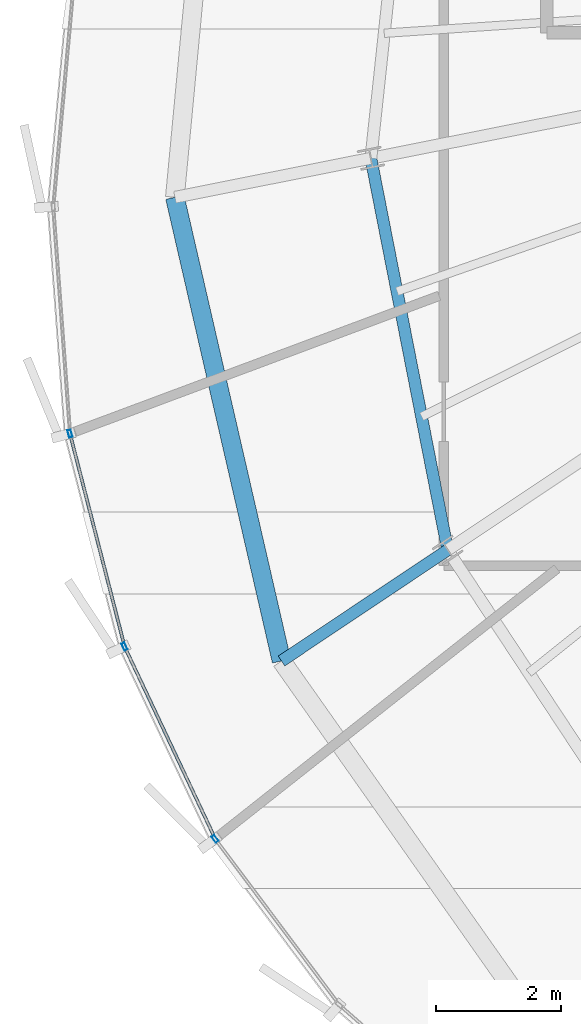
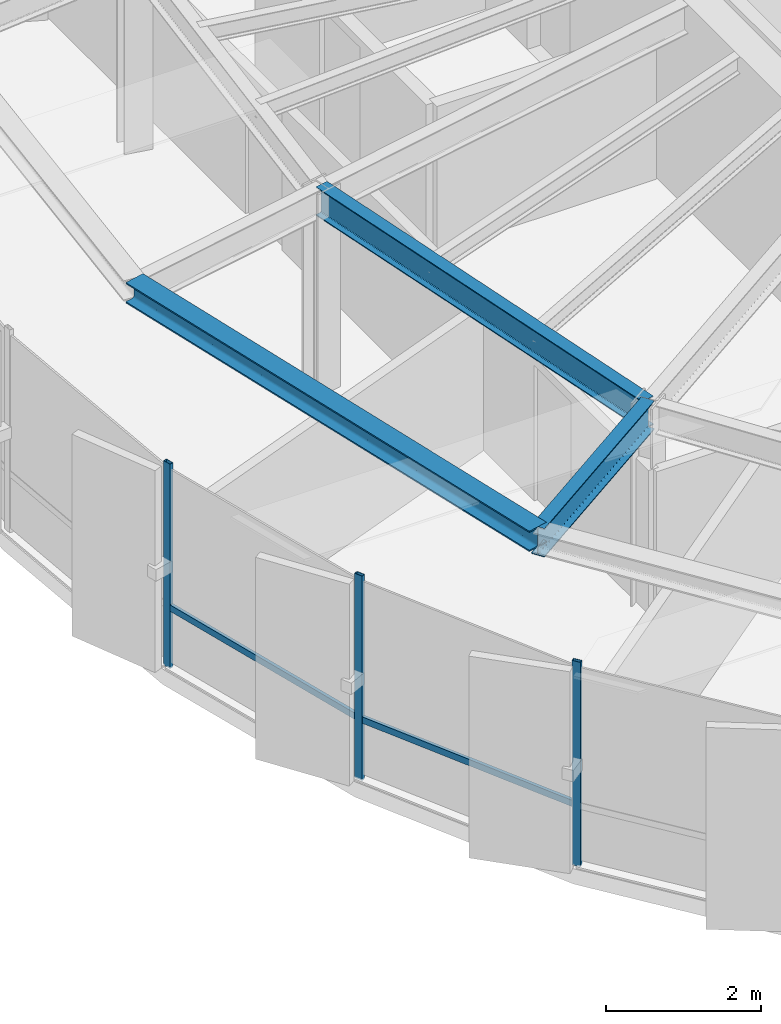
# One storey, part 4 of 33: 5 members, 3 beams, 1 element without a shape of its own.
"""IFC4 building model written with IfcOpenShell, lengths in metres."""

from ifc_helpers import new_model, si_unit, direction, frame, origin, origin_2d, place, context, subcontext, project, spatial, hollow_rectangle, i_section, extrude, source, transform, mapped, material, layer, layer_set, material_profile, profile_set, type_object, element, aggregate, save


model = new_model("IFC4")

# Units and contexts
model_context = context("Model", 3, precision=1e-05, world=origin(), true_north=direction((0.0, 1.0)))
body_context = subcontext(model_context, "Body", "Model", "MODEL_VIEW")
ifc_project = project(units=[si_unit("LENGTHUNIT", "METRE"), si_unit("AREAUNIT", "SQUARE_METRE"), si_unit("VOLUMEUNIT", "CUBIC_METRE"), si_unit("PLANEANGLEUNIT", "RADIAN"), si_unit("MASSUNIT", "GRAM", prefix="KILO"), si_unit("THERMODYNAMICTEMPERATUREUNIT", "KELVIN")], contexts=[model_context])

# Site, building, storey
site_placement = place(None, origin())
site = spatial("IfcSite", under=ifc_project, at=site_placement, CompositionType="ELEMENT")
building_placement = place(site_placement, origin())
building = spatial("IfcBuilding", under=site, at=building_placement, Name="Kethvar Cultural Tower", CompositionType="ELEMENT")
storey_placement = place(building_placement, frame((0.0, 0.0, 256.0)))
storey = spatial("IfcBuildingStorey", under=building, at=storey_placement, Name="L67", CompositionType="ELEMENT", Elevation=256.0)

# Beams
ifc_material_1 = material(Name="Steel S355J2", Category="steel")
ifc_material_profile_1 = material_profile(ifc_material_1, i_section(OverallWidth=0.18994140625, OverallDepth=0.449951171875, WebThickness=0.009521484375, FlangeThickness=0.0146484375, FilletRadius=0.02099609375, at=origin_2d()), Name="Steel S355J2 — IPE450")
ifc_profile_set_1 = profile_set([ifc_material_profile_1], Name="Steel S355J2 — IPE450")
beam_type_1 = type_object("IfcBeamType", Name="BM-IPE450", PredefinedType="BEAM", material=ifc_profile_set_1)
shared_shape_1 = source(origin(), body_context, "Body", "SweptSolid", [
    extrude(i_section(OverallWidth=0.18994140625, OverallDepth=0.449951171875, WebThickness=0.009521484375, FlangeThickness=0.0146484375, FilletRadius=0.02099609375, at=origin_2d()), origin(), (0.0, 0.0, 1.0), 3.199951171875),
])
beam_1_placement = place(storey_placement, frame((32.912841796875, 18.52099609375, 2.98291015625), z_axis=(-0.831462943996, -0.555580212716, 0.0), x_axis=(0.555580212716, -0.831462943996, 0.0)))
element("IfcBeam", 1, at=beam_1_placement, inside=storey, type_object=beam_type_1, Name="L67 Perimeter Cantilever Beam RC-10", PredefinedType="BEAM", context=body_context, shape_type="MappedRepresentation", body=[
    mapped(shared_shape_1, transform((0.0, 0.0, 0.0), scale=1.0)),
])
shared_shape_2 = source(origin(), body_context, "Body", "SweptSolid", [
    extrude(i_section(OverallWidth=0.18994140625, OverallDepth=0.449951171875, WebThickness=0.009521484375, FlangeThickness=0.0146484375, FilletRadius=0.02099609375, at=origin_2d()), origin(), (0.0, 0.0, 1.0), 6.391357421875),
])
beam_2_placement = place(storey_placement, frame((31.68310546875, 24.79296875, 2.98291015625), z_axis=(0.192405084368, -0.981315588131, 0.0), x_axis=(0.981315588131, 0.192405084368, 0.0)))
element("IfcBeam", 2, at=beam_2_placement, inside=storey, type_object=beam_type_1, Name="L67 Column Ring Tie Beam CR-09", PredefinedType="BEAM", context=body_context, shape_type="MappedRepresentation", body=[
    mapped(shared_shape_2, transform((0.0, 0.0, 0.0), scale=1.0)),
])
ifc_material_profile_2 = material_profile(ifc_material_1, i_section(OverallWidth=0.300048828125, OverallDepth=0.320068359375, WebThickness=0.011474609375, FlangeThickness=0.0205078125, FilletRadius=0.027099609375, at=origin_2d()), Name="Steel S355J2 — HEB320")
ifc_profile_set_2 = profile_set([ifc_material_profile_2], Name="Steel S355J2 — HEB320")
beam_type_2 = type_object("IfcBeamType", Name="BM-SP320", PredefinedType="SPANDREL", material=ifc_profile_set_2)
shared_shape_3 = source(origin(), body_context, "Body", "SweptSolid", [
    extrude(i_section(OverallWidth=0.300048828125, OverallDepth=0.320068359375, WebThickness=0.011474609375, FlangeThickness=0.0205078125, FilletRadius=0.027099609375, at=origin_2d()), origin(), (0.0, 0.0, 1.0), 7.619384765625),
])
beam_3_placement = place(storey_placement, frame((28.54443359375, 24.168701171875, 3.048095703125), z_axis=(0.224133998424, -0.974558336248, 0.0), x_axis=(0.974558336248, 0.224133998424, 0.0)))
element("IfcBeam", 3, at=beam_3_placement, inside=storey, type_object=beam_type_2, Name="L67 Perimeter Spandrel Beam SP-09", PredefinedType="SPANDREL", context=body_context, shape_type="MappedRepresentation", body=[
    mapped(shared_shape_3, transform((0.0, 0.0, 0.0), scale=1.0)),
])

# Curtain wall, members
ifc_material_2 = material(Name="Aluminium 6063-T6", Category="aluminium")
ifc_layer = layer(ifc_material_2, 0.179931640625, Name="Aluminium 6063-T6", Category="aluminium")
ifc_layer_set = layer_set([ifc_layer], Name="Aluminium 6063-T6 (180 mm)")
curtain_wall_type = type_object("IfcCurtainWallType", Name="CW-SYS-05-Z56", PredefinedType="NOTDEFINED", material=ifc_layer_set)
curtain_wall_placement = place(storey_placement, origin())
curtain_wall = element("IfcCurtainWall", 4, at=curtain_wall_placement, inside=storey, type_object=curtain_wall_type, Name="L67 Curtain Wall Run 03", PredefinedType="NOTDEFINED")
ifc_material_profile_3 = material_profile(ifc_material_2, hollow_rectangle(XDim=0.054931640625, YDim=0.1201171875, WallThickness=0.00390625, at=origin_2d()), Name="Aluminium 6063-T6 — RHS120x55x4")
ifc_profile_set_3 = profile_set([ifc_material_profile_3], Name="Aluminium 6063-T6 — RHS120x55x4")
member_type_1 = type_object("IfcMemberType", Name="CW-SYS-05-Z56-MUL", PredefinedType="MULLION", material=ifc_profile_set_3)
shared_shape_4 = source(origin(), body_context, "Body", "SweptSolid", [
    extrude(hollow_rectangle(XDim=0.054931640625, YDim=0.1201171875, WallThickness=0.00390625, at=origin_2d()), origin(), (0.0, 0.0, 1.0), 3.2099609375),
])
member_1_placement = place(storey_placement, frame((26.86376953125, 20.3837890625, 0.0), z_axis=(0.0, 0.0, 1.0), x_axis=(0.968591841453, 0.248656077083, 0.0)))
member_1 = element("IfcMember", 5, at=member_1_placement, type_object=member_type_1, Name="CW-L67-R03 Mullion 3", PredefinedType="MULLION", context=body_context, shape_type="MappedRepresentation", body=[
    mapped(shared_shape_4, transform((0.0, 0.0, 0.0), scale=1.0)),
])
member_2_placement = place(storey_placement, frame((27.737060546875, 16.974609375, 0.0), z_axis=(0.0, 0.0, 1.0), x_axis=(0.904328540152, 0.426837078365, 0.0)))
member_2 = element("IfcMember", 6, at=member_2_placement, type_object=member_type_1, Name="CW-L67-R03 Mullion 4", PredefinedType="MULLION", context=body_context, shape_type="MappedRepresentation", body=[
    mapped(shared_shape_4, transform((0.0, 0.0, 0.0), scale=1.0)),
])
member_3_placement = place(storey_placement, frame((29.1884765625, 13.894775390625, 0.0), z_axis=(0.0, 0.0, 1.0), x_axis=(0.800741825761, 0.599009623026, 0.0)))
member_3 = element("IfcMember", 7, at=member_3_placement, type_object=member_type_1, Name="CW-L67-R03 Mullion 5", PredefinedType="MULLION", context=body_context, shape_type="MappedRepresentation", body=[
    mapped(shared_shape_4, transform((0.0, 0.0, 0.0), scale=1.0)),
])
ifc_material_profile_4 = material_profile(ifc_material_2, hollow_rectangle(XDim=0.050048828125, YDim=0.10009765625, WallThickness=0.00390625, at=origin_2d()), Name="Aluminium 6063-T6 — RHS100x50x4")
ifc_profile_set_4 = profile_set([ifc_material_profile_4], Name="Aluminium 6063-T6 — RHS100x50x4")
member_type_2 = type_object("IfcMemberType", Name="CW-SYS-05-Z56-TRN", PredefinedType="USERDEFINED", material=ifc_profile_set_4)
shared_shape_5 = source(origin(), body_context, "Body", "SweptSolid", [
    extrude(hollow_rectangle(XDim=0.050048828125, YDim=0.10009765625, WallThickness=0.00390625, at=origin_2d()), origin(), (0.0, 0.0, 1.0), 3.458984375),
])
member_4_placement = place(storey_placement, frame((26.87353515625, 20.345458984375, 0.949951171875), z_axis=(0.248658928687, -0.968591109387, 0.0), x_axis=(0.968591109387, 0.248658928687, 0.0)))
member_4 = element("IfcMember", 8, at=member_4_placement, type_object=member_type_2, Name="CW-L67-R03 Transom 3", ObjectType="TRANSOM", PredefinedType="USERDEFINED", context=body_context, shape_type="MappedRepresentation", body=[
    mapped(shared_shape_5, transform((0.0, 0.0, 0.0), scale=1.0)),
])
shared_shape_6 = source(origin(), body_context, "Body", "SweptSolid", [
    extrude(hollow_rectangle(XDim=0.050048828125, YDim=0.10009765625, WallThickness=0.00390625, at=origin_2d()), origin(), (0.0, 0.0, 1.0), 3.345458984375),
])
member_5_placement = place(storey_placement, frame((27.75390625, 16.938720703125, 0.949951171875), z_axis=(0.426840546805, -0.904326903063, 0.0), x_axis=(0.904326903063, 0.426840546805, 0.0)))
member_5 = element("IfcMember", 9, at=member_5_placement, type_object=member_type_2, Name="CW-L67-R03 Transom 4", ObjectType="TRANSOM", PredefinedType="USERDEFINED", context=body_context, shape_type="MappedRepresentation", body=[
    mapped(shared_shape_6, transform((0.0, 0.0, 0.0), scale=1.0)),
])
aggregate(curtain_wall, [member_1, member_2, member_3, member_4, member_5])

save(model, "model.ifc")
